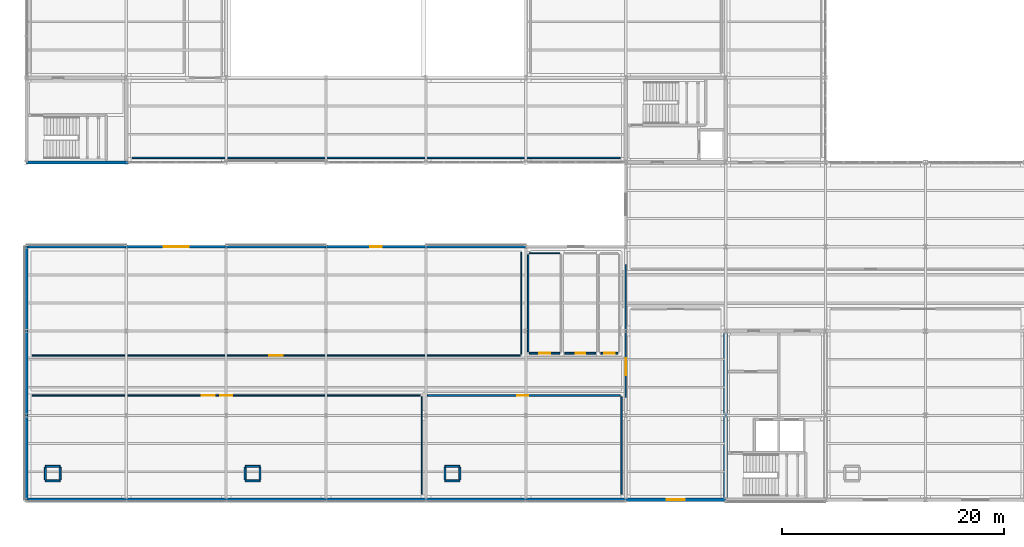
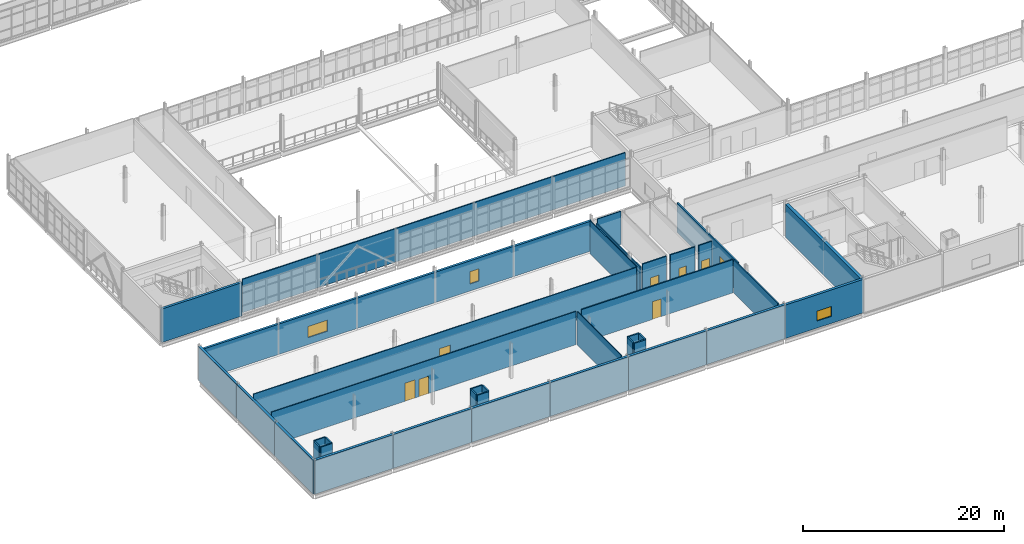
# One storey, part 153 of 174: 42 walls, 8 doors, 3 windows, 11 openings.
"""IFC4 building model written with IfcOpenShell, lengths in metres."""

from ifc_helpers import new_model, si_unit, direction, frame, frame_2d, origin, place, context, subcontext, project, spatial, rectangle, extrude, material, layer, layer_set, type_object, element, fill, save


model = new_model("IFC4")

# Units and contexts
model_context = context("Model", 3, precision=1e-05, world=origin(), true_north=direction((0.0, 1.0)))
body_context = subcontext(model_context, "Body", "Model", "MODEL_VIEW")
ifc_project = project(units=[si_unit("LENGTHUNIT", "METRE"), si_unit("AREAUNIT", "SQUARE_METRE"), si_unit("VOLUMEUNIT", "CUBIC_METRE"), si_unit("PLANEANGLEUNIT", "RADIAN"), si_unit("MASSUNIT", "GRAM", prefix="KILO")], contexts=[model_context])

# Site, building, storey
site_placement = place(None, origin())
site = spatial("IfcSite", under=ifc_project, at=site_placement, CompositionType="ELEMENT")
building_placement = place(site_placement, origin())
building = spatial("IfcBuilding", under=site, at=building_placement, Name="Caisbarro Railhouse Central Library", CompositionType="ELEMENT")
storey_placement = place(building_placement, frame((0.0, 0.0, 5.0400390625)))
storey = spatial("IfcBuildingStorey", under=building, at=storey_placement, Name="L01", CompositionType="ELEMENT", Elevation=5.0400390625)

# Walls
ifc_material_1 = material(Name="Concrete C40", Category="concrete")
ifc_layer_1 = layer(ifc_material_1, 0.35009765625, Name="Concrete C40")
ifc_layer_set_1 = layer_set([ifc_layer_1], Name="Concrete C40")
wall_type_1 = type_object("IfcWallType", Name="WAL-CW35", PredefinedType="SHEAR", material=ifc_layer_set_1)
wall_1_placement = place(storey_placement, frame((63.0, 0.159912109375, 0.0), z_axis=(0.0, 0.0, 1.0), x_axis=(0.0, 1.0, 0.0)))
element("IfcWall", 1, at=wall_1_placement, inside=storey, type_object=wall_type_1, Name="CW35 RC core shear wall L01 #8", PredefinedType="SHEAR", context=body_context, shape_type="SweptSolid", body=[
    extrude(rectangle(XDim=14.880126953125, YDim=0.35009765625, at=frame_2d((7.43994140625, 0.0))), origin(), (0.0, 0.0, 1.0), 4.0400390625),
])
ifc_material_2 = material(Name="Concrete C35 insulated architectural precast", Category="concrete")
ifc_layer_2 = layer(ifc_material_2, 0.260009765625, Name="Concrete C35 insulated architectural precast")
ifc_layer_set_2 = layer_set([ifc_layer_2], Name="Concrete C35 insulated architectural precast")
wall_type_2 = type_object("IfcWallType", Name="WAL-EW26", PredefinedType="STANDARD", material=ifc_layer_set_2)
wall_2_placement = place(storey_placement, frame((0.0, 22.800048828125, 0.0), z_axis=(0.0, 0.0, 1.0), x_axis=(1.0, 0.0, 0.0)))
element("IfcWall", 2, at=wall_2_placement, inside=storey, type_object=wall_type_2, Name="EW26 exterior wall L01 #55", PredefinedType="STANDARD", context=body_context, shape_type="SweptSolid", body=[
    extrude(rectangle(XDim=9.0, YDim=0.260009765625, at=frame_2d((4.5, 0.0))), origin(), (0.0, 0.0, 1.0), 3.6708984375),
])

# Wall, opening, window
wall_3_placement = place(storey_placement, frame((9.0, 22.800048828125, 0.0), z_axis=(0.0, 0.0, 1.0), x_axis=(1.0, 0.0, 0.0)))
wall_3 = element("IfcWall", 3, at=wall_3_placement, inside=storey, type_object=wall_type_2, Name="EW26 exterior wall L01 #57", PredefinedType="STANDARD", context=body_context, shape_type="SweptSolid", body=[
    extrude(rectangle(XDim=9.0, YDim=0.260009765625, at=frame_2d((4.5, 0.0))), origin(), (0.0, 0.0, 1.0), 3.6708984375),
])
opening_1_placement = place(wall_3_placement, frame((3.375, 0.0, 0.85009765625)))
opening_1 = element("IfcOpeningElement", 4, at=opening_1_placement, cuts=wall_3, Name="Opening W17", PredefinedType="OPENING", context=body_context, shape_type="SweptSolid", body=[
    extrude(rectangle(XDim=2.25, YDim=1.35009765625, at=frame_2d((1.125, 0.675048828125))), frame((0.0, 0.14013671875, 0.0), z_axis=(0.0, -1.0, 0.0), x_axis=(1.0, 0.0, 0.0)), (0.0, 0.0, 1.0), 0.280029296875),
])
ifc_material_3 = material(Name="Double low-e laminated solar-control glass", Category="glass")
window_type_1 = type_object("IfcWindowType", Name="WIN-W17", PartitioningType="SINGLE_PANEL", PredefinedType="WINDOW", material=ifc_material_3)
window_1_placement = place(opening_1_placement, origin())
window_1 = element("IfcWindow", 5, at=window_1_placement, inside=storey, type_object=window_type_1, Name="W17 window L01-002", OverallHeight=1.35009765625, OverallWidth=2.25, PartitioningType="SINGLE_PANEL", PredefinedType="WINDOW", context=body_context, shape_type="SweptSolid", body=[
    extrude(rectangle(XDim=2.25, YDim=1.35009765625, at=frame_2d((1.125, 0.675048828125))), frame((0.0, 0.030029296875, 0.0), z_axis=(0.0, -1.0, 0.0), x_axis=(1.0, 0.0, 0.0)), (0.0, 0.0, 1.0), 0.06005859375),
])
fill(opening_1, window_1)

# Wall
wall_4_placement = place(storey_placement, frame((18.0, 22.800048828125, 0.0), z_axis=(0.0, 0.0, 1.0), x_axis=(1.0, 0.0, 0.0)))
element("IfcWall", 6, at=wall_4_placement, inside=storey, type_object=wall_type_2, Name="EW26 exterior wall L01 #59", PredefinedType="STANDARD", context=body_context, shape_type="SweptSolid", body=[
    extrude(rectangle(XDim=9.0, YDim=0.260009765625, at=frame_2d((4.5, 0.0))), origin(), (0.0, 0.0, 1.0), 3.6708984375),
])

# Wall, opening, window
wall_5_placement = place(storey_placement, frame((27.0, 22.800048828125, 0.0), z_axis=(0.0, 0.0, 1.0), x_axis=(1.0, 0.0, 0.0)))
wall_5 = element("IfcWall", 7, at=wall_5_placement, inside=storey, type_object=wall_type_2, Name="EW26 exterior wall L01 #61", PredefinedType="STANDARD", context=body_context, shape_type="SweptSolid", body=[
    extrude(rectangle(XDim=9.0, YDim=0.260009765625, at=frame_2d((4.5, 0.0))), origin(), (0.0, 0.0, 1.0), 3.6708984375),
])
opening_2_placement = place(wall_5_placement, frame((4.0, 0.0, 0.85009765625)))
opening_2 = element("IfcOpeningElement", 8, at=opening_2_placement, cuts=wall_5, Name="Opening W19", PredefinedType="OPENING", context=body_context, shape_type="SweptSolid", body=[
    extrude(rectangle(XDim=1.0, YDim=1.5, at=frame_2d((0.5, 0.75))), frame((0.0, 0.14013671875, 0.0), z_axis=(0.0, -1.0, 0.0), x_axis=(1.0, 0.0, 0.0)), (0.0, 0.0, 1.0), 0.280029296875),
])
window_type_2 = type_object("IfcWindowType", Name="WIN-W19", PartitioningType="SINGLE_PANEL", PredefinedType="WINDOW", material=ifc_material_3)
window_2_placement = place(opening_2_placement, origin())
window_2 = element("IfcWindow", 9, at=window_2_placement, inside=storey, type_object=window_type_2, Name="W19 window L01-003", OverallHeight=1.5, OverallWidth=1.0, PartitioningType="SINGLE_PANEL", PredefinedType="WINDOW", context=body_context, shape_type="SweptSolid", body=[
    extrude(rectangle(XDim=1.0, YDim=1.5, at=frame_2d((0.5, 0.75))), frame((0.0, 0.030029296875, 0.0), z_axis=(0.0, -1.0, 0.0), x_axis=(1.0, 0.0, 0.0)), (0.0, 0.0, 1.0), 0.06005859375),
])
fill(opening_2, window_2)

# Walls
wall_6_placement = place(storey_placement, frame((36.0, 22.800048828125, 0.0), z_axis=(0.0, 0.0, 1.0), x_axis=(1.0, 0.0, 0.0)))
element("IfcWall", 10, at=wall_6_placement, inside=storey, type_object=wall_type_2, Name="EW26 exterior wall L01 #63", PredefinedType="STANDARD", context=body_context, shape_type="SweptSolid", body=[
    extrude(rectangle(XDim=9.0, YDim=0.260009765625, at=frame_2d((4.5, 0.0))), origin(), (0.0, 0.0, 1.0), 3.640869140625),
])
ifc_layer_3 = layer(ifc_material_1, 0.280029296875, Name="Concrete C40")
ifc_layer_set_3 = layer_set([ifc_layer_3], Name="Concrete C40")
wall_type_3 = type_object("IfcWallType", Name="WAL-EW28", PredefinedType="SOLIDWALL", material=ifc_layer_set_3)
wall_7_placement = place(storey_placement, frame((0.0, 30.39990234375, 0.0), z_axis=(0.0, 0.0, 1.0), x_axis=(1.0, 0.0, 0.0)))
element("IfcWall", 11, at=wall_7_placement, inside=storey, type_object=wall_type_3, Name="EW28 exterior wall L01 #32", PredefinedType="SOLIDWALL", context=body_context, shape_type="SweptSolid", body=[
    extrude(rectangle(XDim=9.2099609375, YDim=0.280029296875, at=frame_2d((4.60498046875, 0.0))), origin(), (0.0, 0.0, 1.0), 4.06005859375),
])
wall_8_placement = place(storey_placement, frame((0.0, 0.0, 0.0), z_axis=(0.0, 0.0, 1.0), x_axis=(0.0, 1.0, 0.0)))
element("IfcWall", 12, at=wall_8_placement, inside=storey, type_object=wall_type_3, Name="EW28 exterior wall L01 #66", PredefinedType="SOLIDWALL", context=body_context, shape_type="SweptSolid", body=[
    extrude(rectangle(XDim=7.60009765625, YDim=0.280029296875, at=frame_2d((3.800048828125, 0.0))), origin(), (0.0, 0.0, 1.0), 4.10986328125),
])
wall_9_placement = place(storey_placement, frame((0.0, 7.60009765625, 0.0), z_axis=(0.0, 0.0, 1.0), x_axis=(0.0, 1.0, 0.0)))
element("IfcWall", 13, at=wall_9_placement, inside=storey, type_object=wall_type_3, Name="EW28 exterior wall L01 #67", PredefinedType="SOLIDWALL", context=body_context, shape_type="SweptSolid", body=[
    extrude(rectangle(XDim=7.599853515625, YDim=0.280029296875, at=frame_2d((3.7998046875, 0.0))), origin(), (0.0, 0.0, 1.0), 4.10986328125),
])
wall_10_placement = place(storey_placement, frame((0.0, 15.199951171875, 0.0), z_axis=(0.0, 0.0, 1.0), x_axis=(0.0, 1.0, 0.0)))
element("IfcWall", 14, at=wall_10_placement, inside=storey, type_object=wall_type_3, Name="EW28 exterior wall L01 #68", PredefinedType="SOLIDWALL", context=body_context, shape_type="SweptSolid", body=[
    extrude(rectangle(XDim=7.60009765625, YDim=0.280029296875, at=frame_2d((3.800048828125, 0.0))), origin(), (0.0, 0.0, 1.0), 4.10986328125),
])
ifc_layer_4 = layer(ifc_material_1, 0.300048828125, Name="Concrete C40")
ifc_layer_set_4 = layer_set([ifc_layer_4], Name="Concrete C40")
wall_type_4 = type_object("IfcWallType", Name="WAL-EW30", PredefinedType="SOLIDWALL", material=ifc_layer_set_4)
for number, where, z_axis, x_axis, name in (
    (15, (0.0, 0.0, 0.0), (0.0, 0.0, 1.0), (1.0, 0.0, 0.0), "EW30 exterior wall L01 #54"),
    (16, (9.0, 0.0, 0.0), (0.0, 0.0, 1.0), (1.0, 0.0, 0.0), "EW30 exterior wall L01 #56"),
    (17, (18.0, 0.0, 0.0), (0.0, 0.0, 1.0), (1.0, 0.0, 0.0), "EW30 exterior wall L01 #58"),
    (18, (27.0, 0.0, 0.0), (0.0, 0.0, 1.0), (1.0, 0.0, 0.0), "EW30 exterior wall L01 #60"),
    (19, (36.0, 0.0, 0.0), (0.0, 0.0, 1.0), (1.0, 0.0, 0.0), "EW30 exterior wall L01 #62"),
    (20, (45.0, 0.0, 0.0), (0.0, 0.0, 1.0), (1.0, 0.0, 0.0), "EW30 exterior wall L01 #64"),
):
    element("IfcWall", number, at=place(storey_placement, frame(where, z_axis=z_axis, x_axis=x_axis)), inside=storey, type_object=wall_type_4, Name=name, PredefinedType="SOLIDWALL", context=body_context, shape_type="SweptSolid", body=[
        extrude(rectangle(XDim=9.0, YDim=0.300048828125, at=frame_2d((4.5, 0.0))), origin(), (0.0, 0.0, 1.0), 4.10986328125),
    ])

# Wall, opening, window
wall_11_placement = place(storey_placement, frame((54.0, 0.0, 0.0), z_axis=(0.0, 0.0, 1.0), x_axis=(1.0, 0.0, 0.0)))
wall_11 = element("IfcWall", 21, at=wall_11_placement, inside=storey, type_object=wall_type_4, Name="EW30 exterior wall L01 #81", PredefinedType="SOLIDWALL", context=body_context, shape_type="SweptSolid", body=[
    extrude(rectangle(XDim=9.0, YDim=0.300048828125, at=frame_2d((4.5, 0.0))), origin(), (0.0, 0.0, 1.0), 4.06005859375),
])
opening_3_placement = place(wall_11_placement, frame((3.675048828125, 0.0, 0.85009765625)))
opening_3 = element("IfcOpeningElement", 22, at=opening_3_placement, cuts=wall_11, Name="Opening W06", PredefinedType="OPENING", context=body_context, shape_type="SweptSolid", body=[
    extrude(rectangle(XDim=1.64990234375, YDim=1.199951171875, at=frame_2d((0.824951171875, 0.60009765625))), frame((0.0, 0.16015625, 0.0), z_axis=(0.0, -1.0, 0.0), x_axis=(1.0, 0.0, 0.0)), (0.0, 0.0, 1.0), 0.320068359375),
])
window_type_3 = type_object("IfcWindowType", Name="WIN-W06", PartitioningType="SINGLE_PANEL", PredefinedType="WINDOW", material=ifc_material_3)
window_3_placement = place(opening_3_placement, origin())
window_3 = element("IfcWindow", 23, at=window_3_placement, inside=storey, type_object=window_type_3, Name="W06 window L01-009", OverallHeight=1.199951171875, OverallWidth=1.64990234375, PartitioningType="SINGLE_PANEL", PredefinedType="WINDOW", context=body_context, shape_type="SweptSolid", body=[
    extrude(rectangle(XDim=1.64990234375, YDim=1.199951171875, at=frame_2d((0.824951171875, 0.60009765625))), frame((0.0, 0.030029296875, 0.0), z_axis=(0.0, -1.0, 0.0), x_axis=(1.0, 0.0, 0.0)), (0.0, 0.0, 1.0), 0.06005859375),
])
fill(opening_3, window_3)

# Walls
ifc_material_4 = material(Name="Acoustic gypsum board on galvanised steel studs", Category="steel")
ifc_layer_5 = layer(ifc_material_4, 0.090087890625, Name="Acoustic gypsum board on galvanised steel studs")
ifc_layer_set_5 = layer_set([ifc_layer_5], Name="Acoustic gypsum board on galvanised steel studs")
wall_type_5 = type_object("IfcWallType", Name="WAL-IW09", PredefinedType="PARTITIONING", material=ifc_layer_set_5)
wall_12_placement = place(storey_placement, frame((35.60009765625, 0.52001953125, 0.0), z_axis=(0.0, 0.0, 1.0), x_axis=(0.0, 1.0, 0.0)))
element("IfcWall", 24, at=wall_12_placement, inside=storey, type_object=wall_type_5, Name="IW09 partition wall L01 #375", PredefinedType="PARTITIONING", context=body_context, shape_type="SweptSolid", body=[
    extrude(rectangle(XDim=8.760009765625, YDim=0.090087890625, at=frame_2d((4.3798828125, 0.0))), origin(), (0.0, 0.0, 1.0), 4.0400390625),
])
wall_13_placement = place(storey_placement, frame((44.60009765625, 13.1201171875, 0.0), z_axis=(0.0, 0.0, 1.0), x_axis=(0.0, 1.0, 0.0)))
element("IfcWall", 25, at=wall_13_placement, inside=storey, type_object=wall_type_5, Name="IW09 partition wall L01 #379", PredefinedType="PARTITIONING", context=body_context, shape_type="SweptSolid", body=[
    extrude(rectangle(XDim=9.159912109375, YDim=0.090087890625, at=frame_2d((4.580078125, 0.0))), origin(), (0.0, 0.0, 1.0), 4.0400390625),
])
wall_14_placement = place(storey_placement, frame((45.320068359375, 22.199951171875, 0.0), z_axis=(0.0, 0.0, 1.0), x_axis=(1.0, 0.0, 0.0)))
element("IfcWall", 26, at=wall_14_placement, inside=storey, type_object=wall_type_5, Name="IW09 partition wall L01 #383", PredefinedType="PARTITIONING", context=body_context, shape_type="SweptSolid", body=[
    extrude(rectangle(XDim=2.72802734375, YDim=0.090087890625, at=frame_2d((1.364013671875, 0.0))), origin(), (0.0, 0.0, 1.0), 4.0400390625),
])

# Wall, openings, doors
ifc_layer_6 = layer(ifc_material_4, 0.110107421875, Name="Acoustic gypsum board on galvanised steel studs")
ifc_layer_set_6 = layer_set([ifc_layer_6], Name="Acoustic gypsum board on galvanised steel studs")
wall_type_6 = type_object("IfcWallType", Name="WAL-IW11", PredefinedType="PARTITIONING", material=ifc_layer_set_6)
wall_15_placement = place(storey_placement, frame((0.52001953125, 9.39990234375, 0.0), z_axis=(0.0, 0.0, 1.0), x_axis=(1.0, 0.0, 0.0)))
wall_15 = element("IfcWall", 27, at=wall_15_placement, inside=storey, type_object=wall_type_6, Name="IW11 partition wall L01 #374", PredefinedType="PARTITIONING", context=body_context, shape_type="SweptSolid", body=[
    extrude(rectangle(XDim=34.9599609375, YDim=0.110107421875, at=frame_2d((17.47998046875, 0.0))), origin(), (0.0, 0.0, 1.0), 4.0400390625),
])
opening_4_placement = place(wall_15_placement, frame((16.93994140625, 0.0, 0.0)))
opening_4 = element("IfcOpeningElement", 28, at=opening_4_placement, cuts=wall_15, Name="Opening ID13", PredefinedType="OPENING", context=body_context, shape_type="SweptSolid", body=[
    extrude(rectangle(XDim=1.080078125, YDim=2.10009765625, at=frame_2d((0.5400390625, 1.050048828125))), frame((0.0, 0.06494140625, 0.0), z_axis=(0.0, -1.0, 0.0), x_axis=(1.0, 0.0, 0.0)), (0.0, 0.0, 1.0), 0.130126953125),
])
opening_5_placement = place(wall_15_placement, frame((15.300048828125, 0.0, 0.0)))
opening_5 = element("IfcOpeningElement", 29, at=opening_5_placement, cuts=wall_15, Name="Opening ID44", PredefinedType="OPENING", context=body_context, shape_type="SweptSolid", body=[
    extrude(rectangle(XDim=1.159912109375, YDim=2.199951171875, at=frame_2d((0.580078125, 1.10009765625))), frame((0.0, 0.06494140625, 0.0), z_axis=(0.0, -1.0, 0.0), x_axis=(1.0, 0.0, 0.0)), (0.0, 0.0, 1.0), 0.130126953125),
])
ifc_material_5 = material(Name="Solid-core tropical hardwood veneer", Category="wood")
door_type_1 = type_object("IfcDoorType", Name="DR-ID13", OperationType="NOTDEFINED", PredefinedType="DOOR", material=ifc_material_5)
door_1_placement = place(opening_4_placement, origin())
door_1 = element("IfcDoor", 30, at=door_1_placement, inside=storey, type_object=door_type_1, Name="Open Humanities Stacks West Door ID13 L01-233", OperationType="SINGLE_SWING_LEFT", OverallHeight=2.10009765625, OverallWidth=1.080078125, PredefinedType="DOOR", context=body_context, shape_type="SweptSolid", body=[
    extrude(rectangle(XDim=1.080078125, YDim=2.10009765625, at=frame_2d((0.5400390625, 1.050048828125))), frame((0.0, 0.02490234375, 0.0), z_axis=(0.0, -1.0, 0.0), x_axis=(1.0, 0.0, 0.0)), (0.0, 0.0, 1.0), 0.050048828125),
])
fill(opening_4, door_1)
door_type_2 = type_object("IfcDoorType", Name="DR-ID44", OperationType="NOTDEFINED", PredefinedType="DOOR", material=ifc_material_5)
door_2_placement = place(opening_5_placement, origin())
door_2 = element("IfcDoor", 31, at=door_2_placement, inside=storey, type_object=door_type_2, Name="Stacks Corridor L01 West Door ID44 L01-262", OperationType="SINGLE_SWING_RIGHT", OverallHeight=2.199951171875, OverallWidth=1.159912109375, PredefinedType="DOOR", context=body_context, shape_type="SweptSolid", body=[
    extrude(rectangle(XDim=1.159912109375, YDim=2.199951171875, at=frame_2d((0.580078125, 1.10009765625))), frame((0.0, 0.02490234375, 0.0), z_axis=(0.0, -1.0, 0.0), x_axis=(1.0, 0.0, 0.0)), (0.0, 0.0, 1.0), 0.050048828125),
])
fill(opening_5, door_2)

# Wall, opening, door
wall_16_placement = place(storey_placement, frame((0.52001953125, 13.0, 0.0), z_axis=(0.0, 0.0, 1.0), x_axis=(1.0, 0.0, 0.0)))
wall_16 = element("IfcWall", 32, at=wall_16_placement, inside=storey, type_object=wall_type_6, Name="IW11 partition wall L01 #378", PredefinedType="PARTITIONING", context=body_context, shape_type="SweptSolid", body=[
    extrude(rectangle(XDim=43.9599609375, YDim=0.110107421875, at=frame_2d((21.97998046875, 0.0))), origin(), (0.0, 0.0, 1.0), 4.0400390625),
])
opening_6_placement = place(wall_16_placement, frame((21.3701171875, 0.0, 0.0)))
opening_6 = element("IfcOpeningElement", 33, at=opening_6_placement, cuts=wall_16, Name="Opening ID15", PredefinedType="OPENING", context=body_context, shape_type="SweptSolid", body=[
    extrude(rectangle(XDim=1.219970703125, YDim=2.10009765625, at=frame_2d((0.60986328125, 1.050048828125))), frame((0.0, 0.06494140625, 0.0), z_axis=(0.0, -1.0, 0.0), x_axis=(1.0, 0.0, 0.0)), (0.0, 0.0, 1.0), 0.130126953125),
])
door_type_3 = type_object("IfcDoorType", Name="DR-ID15", OperationType="NOTDEFINED", PredefinedType="DOOR", material=ifc_material_5)
door_3_placement = place(opening_6_placement, origin())
door_3 = element("IfcDoor", 34, at=door_3_placement, inside=storey, type_object=door_type_3, Name="Open Literature Stacks Door ID15 L01-235", OperationType="SINGLE_SWING_LEFT", OverallHeight=2.10009765625, OverallWidth=1.219970703125, PredefinedType="DOOR", context=body_context, shape_type="SweptSolid", body=[
    extrude(rectangle(XDim=1.219970703125, YDim=2.10009765625, at=frame_2d((0.60986328125, 1.050048828125))), frame((0.0, 0.02490234375, 0.0), z_axis=(0.0, -1.0, 0.0), x_axis=(1.0, 0.0, 0.0)), (0.0, 0.0, 1.0), 0.050048828125),
])
fill(opening_6, door_3)

# Walls
ifc_layer_7 = layer(ifc_material_4, 0.1298828125, Name="Acoustic gypsum board on galvanised steel studs")
ifc_layer_set_7 = layer_set([ifc_layer_7], Name="Acoustic gypsum board on galvanised steel studs")
wall_type_7 = type_object("IfcWallType", Name="WAL-IW13", PredefinedType="PARTITIONING", material=ifc_layer_set_7)
wall_17_placement = place(storey_placement, frame((53.60009765625, 0.52001953125, 0.0), z_axis=(0.0, 0.0, 1.0), x_axis=(0.0, 1.0, 0.0)))
element("IfcWall", 35, at=wall_17_placement, inside=storey, type_object=wall_type_7, Name="IW13 partition wall L01 #377", PredefinedType="PARTITIONING", context=body_context, shape_type="SweptSolid", body=[
    extrude(rectangle(XDim=8.760009765625, YDim=0.1298828125, at=frame_2d((4.3798828125, 0.0))), origin(), (0.0, 0.0, 1.0), 4.0400390625),
])
wall_18_placement = place(storey_placement, frame((45.199951171875, 13.320068359375, 0.0), z_axis=(0.0, 0.0, 1.0), x_axis=(0.0, 1.0, 0.0)))
element("IfcWall", 36, at=wall_18_placement, inside=storey, type_object=wall_type_7, Name="IW13 partition wall L01 #381", PredefinedType="PARTITIONING", context=body_context, shape_type="SweptSolid", body=[
    extrude(rectangle(XDim=8.760009765625, YDim=0.1298828125, at=frame_2d((4.3798828125, 0.0))), origin(), (0.0, 0.0, 1.0), 3.62890625),
])
wall_19_placement = place(storey_placement, frame((9.52001953125, 30.800048828125, 0.0), z_axis=(0.0, 0.0, 1.0), x_axis=(1.0, 0.0, 0.0)))
element("IfcWall", 37, at=wall_19_placement, inside=storey, type_object=wall_type_7, Name="IW13 partition wall L01 #457", PredefinedType="PARTITIONING", context=body_context, shape_type="SweptSolid", body=[
    extrude(rectangle(XDim=43.9599609375, YDim=0.1298828125, at=frame_2d((21.97998046875, 0.0))), origin(), (0.0, 0.0, 1.0), 4.0400390625),
])

# Wall, opening, door
ifc_layer_8 = layer(ifc_material_4, 0.14990234375, Name="Acoustic gypsum board on galvanised steel studs")
ifc_layer_set_8 = layer_set([ifc_layer_8], Name="Acoustic gypsum board on galvanised steel studs")
wall_type_8 = type_object("IfcWallType", Name="WAL-IW15", PredefinedType="PARTITIONING", material=ifc_layer_set_8)
wall_20_placement = place(storey_placement, frame((36.1201171875, 9.39990234375, 0.0), z_axis=(0.0, 0.0, 1.0), x_axis=(1.0, 0.0, 0.0)))
wall_20 = element("IfcWall", 38, at=wall_20_placement, inside=storey, type_object=wall_type_8, Name="IW15 partition wall L01 #376", PredefinedType="PARTITIONING", context=body_context, shape_type="SweptSolid", body=[
    extrude(rectangle(XDim=17.35986328125, YDim=0.14990234375, at=frame_2d((8.679931640625, 0.0))), origin(), (0.0, 0.0, 1.0), 4.0400390625),
])
opening_7_placement = place(wall_20_placement, frame((8.110107421875, 0.0, 0.0)))
opening_7 = element("IfcOpeningElement", 39, at=opening_7_placement, cuts=wall_20, Name="Opening FD05", PredefinedType="OPENING", context=body_context, shape_type="SweptSolid", body=[
    extrude(rectangle(XDim=1.0, YDim=2.14990234375, at=frame_2d((0.5, 1.074951171875))), frame((0.0, 0.0849609375, 0.0), z_axis=(0.0, -1.0, 0.0), x_axis=(1.0, 0.0, 0.0)), (0.0, 0.0, 1.0), 0.169921875),
])
ifc_material_6 = material(Name="Fire-rated painted galvanised steel", Category="steel")
door_type_4 = type_object("IfcDoorType", Name="DR-FD05", OperationType="NOTDEFINED", PredefinedType="DOOR", material=ifc_material_6)
door_4_placement = place(opening_7_placement, origin())
door_4 = element("IfcDoor", 40, at=door_4_placement, inside=storey, type_object=door_type_4, Name="Cataloguing and Metadata Studio Door FD05 L01-234", OperationType="SINGLE_SWING_RIGHT", OverallHeight=2.14990234375, OverallWidth=1.0, PredefinedType="DOOR", context=body_context, shape_type="SweptSolid", body=[
    extrude(rectangle(XDim=1.0, YDim=2.14990234375, at=frame_2d((0.5, 1.074951171875))), frame((0.0, 0.02490234375, 0.0), z_axis=(0.0, -1.0, 0.0), x_axis=(1.0, 0.0, 0.0)), (0.0, 0.0, 1.0), 0.050048828125),
])
fill(opening_7, door_4)

wall_21_placement = place(storey_placement, frame((45.320068359375, 13.199951171875, 0.0), z_axis=(0.0, 0.0, 1.0), x_axis=(1.0, 0.0, 0.0)))
wall_21 = element("IfcWall", 41, at=wall_21_placement, inside=storey, type_object=wall_type_8, Name="IW15 partition wall L01 #380", PredefinedType="PARTITIONING", context=body_context, shape_type="SweptSolid", body=[
    extrude(rectangle(XDim=2.72802734375, YDim=0.14990234375, at=frame_2d((1.364013671875, 0.0))), origin(), (0.0, 0.0, 1.0), 4.0400390625),
])
opening_8_placement = place(wall_21_placement, frame((0.8740234375, 0.0, 0.0)))
opening_8 = element("IfcOpeningElement", 42, at=opening_8_placement, cuts=wall_21, Name="Opening ID04", PredefinedType="OPENING", context=body_context, shape_type="SweptSolid", body=[
    extrude(rectangle(XDim=0.97998046875, YDim=2.06005859375, at=frame_2d((0.489990234375, 1.030029296875))), frame((0.0, 0.0849609375, 0.0), z_axis=(0.0, -1.0, 0.0), x_axis=(1.0, 0.0, 0.0)), (0.0, 0.0, 1.0), 0.169921875),
])
door_type_5 = type_object("IfcDoorType", Name="DR-ID04", OperationType="NOTDEFINED", PredefinedType="DOOR", material=ifc_material_5)
door_5_placement = place(opening_8_placement, origin())
door_5 = element("IfcDoor", 43, at=door_5_placement, inside=storey, type_object=door_type_5, Name="Male WC L01-W Door ID04 L01-236", OperationType="SINGLE_SWING_RIGHT", OverallHeight=2.06005859375, OverallWidth=0.97998046875, PredefinedType="DOOR", context=body_context, shape_type="SweptSolid", body=[
    extrude(rectangle(XDim=0.97998046875, YDim=2.06005859375, at=frame_2d((0.489990234375, 1.030029296875))), frame((0.0, 0.02490234375, 0.0), z_axis=(0.0, -1.0, 0.0), x_axis=(1.0, 0.0, 0.0)), (0.0, 0.0, 1.0), 0.050048828125),
])
fill(opening_8, door_5)

wall_22_placement = place(storey_placement, frame((48.488037109375, 13.199951171875, 0.0), z_axis=(0.0, 0.0, 1.0), x_axis=(1.0, 0.0, 0.0)))
wall_22 = element("IfcWall", 44, at=wall_22_placement, inside=storey, type_object=wall_type_8, Name="IW15 partition wall L01 #384", PredefinedType="PARTITIONING", context=body_context, shape_type="SweptSolid", body=[
    extrude(rectangle(XDim=2.827880859375, YDim=0.14990234375, at=frame_2d((1.4140625, 0.0))), origin(), (0.0, 0.0, 1.0), 4.0400390625),
])
opening_9_placement = place(wall_22_placement, frame((0.98388671875, 0.0, 0.0)))
opening_9 = element("IfcOpeningElement", 45, at=opening_9_placement, cuts=wall_22, Name="Opening ID01", PredefinedType="OPENING", context=body_context, shape_type="SweptSolid", body=[
    extrude(rectangle(XDim=0.860107421875, YDim=2.06005859375, at=frame_2d((0.43017578125, 1.030029296875))), frame((0.0, 0.0849609375, 0.0), z_axis=(0.0, -1.0, 0.0), x_axis=(1.0, 0.0, 0.0)), (0.0, 0.0, 1.0), 0.169921875),
])
door_type_6 = type_object("IfcDoorType", Name="DR-ID01", OperationType="NOTDEFINED", PredefinedType="DOOR", material=ifc_material_5)
door_6_placement = place(opening_9_placement, origin())
door_6 = element("IfcDoor", 46, at=door_6_placement, inside=storey, type_object=door_type_6, Name="Female WC L01-W Door ID01 L01-237", OperationType="SINGLE_SWING_LEFT", OverallHeight=2.06005859375, OverallWidth=0.860107421875, PredefinedType="DOOR", context=body_context, shape_type="SweptSolid", body=[
    extrude(rectangle(XDim=0.860107421875, YDim=2.06005859375, at=frame_2d((0.43017578125, 1.030029296875))), frame((0.0, 0.02490234375, 0.0), z_axis=(0.0, -1.0, 0.0), x_axis=(1.0, 0.0, 0.0)), (0.0, 0.0, 1.0), 0.050048828125),
])
fill(opening_9, door_6)

wall_23_placement = place(storey_placement, frame((51.756103515625, 13.199951171875, 0.0), z_axis=(0.0, 0.0, 1.0), x_axis=(1.0, 0.0, 0.0)))
wall_23 = element("IfcWall", 47, at=wall_23_placement, inside=storey, type_object=wall_type_8, Name="IW15 partition wall L01 #388", PredefinedType="PARTITIONING", context=body_context, shape_type="SweptSolid", body=[
    extrude(rectangle(XDim=1.52392578125, YDim=0.14990234375, at=frame_2d((0.761962890625, 0.0))), origin(), (0.0, 0.0, 1.0), 4.0400390625),
])
opening_10_placement = place(wall_23_placement, frame((0.2919921875, 0.0, 0.0)))
opening_10 = element("IfcOpeningElement", 48, at=opening_10_placement, cuts=wall_23, Name="Opening ID03", PredefinedType="OPENING", context=body_context, shape_type="SweptSolid", body=[
    extrude(rectangle(XDim=0.93994140625, YDim=2.06005859375, at=frame_2d((0.469970703125, 1.030029296875))), frame((0.0, 0.0849609375, 0.0), z_axis=(0.0, -1.0, 0.0), x_axis=(1.0, 0.0, 0.0)), (0.0, 0.0, 1.0), 0.169921875),
])
door_type_7 = type_object("IfcDoorType", Name="DR-ID03", OperationType="NOTDEFINED", PredefinedType="DOOR", material=ifc_material_5)
door_7_placement = place(opening_10_placement, origin())
door_7 = element("IfcDoor", 49, at=door_7_placement, inside=storey, type_object=door_type_7, Name="Accessible WC L01-W Door ID03 L01-238", OperationType="SINGLE_SWING_RIGHT", OverallHeight=2.06005859375, OverallWidth=0.93994140625, PredefinedType="DOOR", context=body_context, shape_type="SweptSolid", body=[
    extrude(rectangle(XDim=0.93994140625, YDim=2.06005859375, at=frame_2d((0.469970703125, 1.030029296875))), frame((0.0, 0.02490234375, 0.0), z_axis=(0.0, -1.0, 0.0), x_axis=(1.0, 0.0, 0.0)), (0.0, 0.0, 1.0), 0.050048828125),
])
fill(opening_10, door_7)

# Walls
ifc_material_7 = material(Name="Plastered cellular concrete masonry", Category="masonry")
ifc_layer_9 = layer(ifc_material_7, 0.169921875, Name="Plastered cellular concrete masonry")
ifc_layer_set_9 = layer_set([ifc_layer_9], Name="Plastered cellular concrete masonry")
wall_type_9 = type_object("IfcWallType", Name="WAL-IW17", PredefinedType="PARTITIONING", material=ifc_layer_set_9)
wall_24_placement = place(storey_placement, frame((1.7099609375, 1.7099609375, 0.0), z_axis=(0.0, 0.0, 1.0), x_axis=(1.0, 0.0, 0.0)))
element("IfcWall", 50, at=wall_24_placement, inside=storey, type_object=wall_type_9, Name="IW17 partition wall L01 #191", PredefinedType="PARTITIONING", context=body_context, shape_type="SweptSolid", body=[
    extrude(rectangle(XDim=1.340087890625, YDim=0.169921875, at=frame_2d((0.669921875, 0.0))), origin(), (0.0, 0.0, 1.0), 4.0400390625),
])
wall_25_placement = place(storey_placement, frame((3.050048828125, 1.800048828125, 0.0), z_axis=(0.0, 0.0, 1.0), x_axis=(0.0, 1.0, 0.0)))
element("IfcWall", 51, at=wall_25_placement, inside=storey, type_object=wall_type_9, Name="IW17 partition wall L01 #192", PredefinedType="PARTITIONING", context=body_context, shape_type="SweptSolid", body=[
    extrude(rectangle(XDim=1.119873046875, YDim=0.169921875, at=frame_2d((0.56005859375, 0.0))), origin(), (0.0, 0.0, 1.0), 4.0400390625),
])
wall_26_placement = place(storey_placement, frame((3.050048828125, 3.010009765625, 0.0), z_axis=(0.0, 0.0, 1.0), x_axis=(-1.0, 0.0, 0.0)))
element("IfcWall", 52, at=wall_26_placement, inside=storey, type_object=wall_type_9, Name="IW17 partition wall L01 #193", PredefinedType="PARTITIONING", context=body_context, shape_type="SweptSolid", body=[
    extrude(rectangle(XDim=1.340087890625, YDim=0.169921875, at=frame_2d((0.669921875, 0.0))), origin(), (0.0, 0.0, 1.0), 4.0400390625),
])
wall_27_placement = place(storey_placement, frame((1.7099609375, 2.919921875, 0.0), z_axis=(0.0, 0.0, 1.0), x_axis=(0.0, -1.0, 0.0)))
element("IfcWall", 53, at=wall_27_placement, inside=storey, type_object=wall_type_9, Name="IW17 partition wall L01 #194", PredefinedType="PARTITIONING", context=body_context, shape_type="SweptSolid", body=[
    extrude(rectangle(XDim=1.119873046875, YDim=0.169921875, at=frame_2d((0.56005859375, 0.0))), origin(), (0.0, 0.0, 1.0), 4.0400390625),
])
wall_28_placement = place(storey_placement, frame((19.7099609375, 1.7099609375, 0.0), z_axis=(0.0, 0.0, 1.0), x_axis=(1.0, 0.0, 0.0)))
element("IfcWall", 54, at=wall_28_placement, inside=storey, type_object=wall_type_9, Name="IW17 partition wall L01 #195", PredefinedType="PARTITIONING", context=body_context, shape_type="SweptSolid", body=[
    extrude(rectangle(XDim=1.340087890625, YDim=0.169921875, at=frame_2d((0.669921875, 0.0))), origin(), (0.0, 0.0, 1.0), 4.0400390625),
])
wall_29_placement = place(storey_placement, frame((21.050048828125, 1.800048828125, 0.0), z_axis=(0.0, 0.0, 1.0), x_axis=(0.0, 1.0, 0.0)))
element("IfcWall", 55, at=wall_29_placement, inside=storey, type_object=wall_type_9, Name="IW17 partition wall L01 #196", PredefinedType="PARTITIONING", context=body_context, shape_type="SweptSolid", body=[
    extrude(rectangle(XDim=1.119873046875, YDim=0.169921875, at=frame_2d((0.56005859375, 0.0))), origin(), (0.0, 0.0, 1.0), 4.0400390625),
])
wall_30_placement = place(storey_placement, frame((21.050048828125, 3.010009765625, 0.0), z_axis=(0.0, 0.0, 1.0), x_axis=(-1.0, 0.0, 0.0)))
element("IfcWall", 56, at=wall_30_placement, inside=storey, type_object=wall_type_9, Name="IW17 partition wall L01 #197", PredefinedType="PARTITIONING", context=body_context, shape_type="SweptSolid", body=[
    extrude(rectangle(XDim=1.340087890625, YDim=0.169921875, at=frame_2d((0.669921875, 0.0))), origin(), (0.0, 0.0, 1.0), 4.0400390625),
])
wall_31_placement = place(storey_placement, frame((19.7099609375, 2.919921875, 0.0), z_axis=(0.0, 0.0, 1.0), x_axis=(0.0, -1.0, 0.0)))
element("IfcWall", 57, at=wall_31_placement, inside=storey, type_object=wall_type_9, Name="IW17 partition wall L01 #198", PredefinedType="PARTITIONING", context=body_context, shape_type="SweptSolid", body=[
    extrude(rectangle(XDim=1.119873046875, YDim=0.169921875, at=frame_2d((0.56005859375, 0.0))), origin(), (0.0, 0.0, 1.0), 4.0400390625),
])
wall_32_placement = place(storey_placement, frame((37.7099609375, 1.7099609375, 0.0), z_axis=(0.0, 0.0, 1.0), x_axis=(1.0, 0.0, 0.0)))
element("IfcWall", 58, at=wall_32_placement, inside=storey, type_object=wall_type_9, Name="IW17 partition wall L01 #199", PredefinedType="PARTITIONING", context=body_context, shape_type="SweptSolid", body=[
    extrude(rectangle(XDim=1.340087890625, YDim=0.169921875, at=frame_2d((0.669921875, 0.0))), origin(), (0.0, 0.0, 1.0), 4.0400390625),
])
wall_33_placement = place(storey_placement, frame((39.050048828125, 1.800048828125, 0.0), z_axis=(0.0, 0.0, 1.0), x_axis=(0.0, 1.0, 0.0)))
element("IfcWall", 59, at=wall_33_placement, inside=storey, type_object=wall_type_9, Name="IW17 partition wall L01 #200", PredefinedType="PARTITIONING", context=body_context, shape_type="SweptSolid", body=[
    extrude(rectangle(XDim=1.119873046875, YDim=0.169921875, at=frame_2d((0.56005859375, 0.0))), origin(), (0.0, 0.0, 1.0), 4.0400390625),
])
wall_34_placement = place(storey_placement, frame((39.050048828125, 3.010009765625, 0.0), z_axis=(0.0, 0.0, 1.0), x_axis=(-1.0, 0.0, 0.0)))
element("IfcWall", 60, at=wall_34_placement, inside=storey, type_object=wall_type_9, Name="IW17 partition wall L01 #201", PredefinedType="PARTITIONING", context=body_context, shape_type="SweptSolid", body=[
    extrude(rectangle(XDim=1.340087890625, YDim=0.169921875, at=frame_2d((0.669921875, 0.0))), origin(), (0.0, 0.0, 1.0), 4.0400390625),
])
wall_35_placement = place(storey_placement, frame((37.7099609375, 2.919921875, 0.0), z_axis=(0.0, 0.0, 1.0), x_axis=(0.0, -1.0, 0.0)))
element("IfcWall", 61, at=wall_35_placement, inside=storey, type_object=wall_type_9, Name="IW17 partition wall L01 #202", PredefinedType="PARTITIONING", context=body_context, shape_type="SweptSolid", body=[
    extrude(rectangle(XDim=1.119873046875, YDim=0.169921875, at=frame_2d((0.56005859375, 0.0))), origin(), (0.0, 0.0, 1.0), 4.0400390625),
])

# Wall, opening, door
wall_36_placement = place(storey_placement, frame((54.0, 9.199951171875, 0.0), z_axis=(0.0, 0.0, 1.0), x_axis=(0.0, 1.0, 0.0)))
wall_36 = element("IfcWall", 62, at=wall_36_placement, inside=storey, type_object=wall_type_9, Name="IW17 partition wall L01 #371", PredefinedType="PARTITIONING", context=body_context, shape_type="SweptSolid", body=[
    extrude(rectangle(XDim=12.0, YDim=0.169921875, at=frame_2d((6.0, 0.0))), origin(), (0.0, 0.0, 1.0), 3.598876953125),
])
opening_11_placement = place(wall_36_placement, frame((2.0, 0.0, 0.0)))
opening_11 = element("IfcOpeningElement", 63, at=opening_11_placement, cuts=wall_36, Name="Opening FD07", PredefinedType="OPENING", context=body_context, shape_type="SweptSolid", body=[
    extrude(rectangle(XDim=1.550048828125, YDim=2.199951171875, at=frame_2d((0.77490234375, 1.10009765625))), frame((0.0, 0.094970703125, 0.0), z_axis=(0.0, -1.0, 0.0), x_axis=(1.0, 0.0, 0.0)), (0.0, 0.0, 1.0), 0.18994140625),
])
door_type_8 = type_object("IfcDoorType", Name="DR-FD07", OperationType="NOTDEFINED", PredefinedType="DOOR", material=ifc_material_6)
door_8_placement = place(opening_11_placement, origin())
door_8 = element("IfcDoor", 64, at=door_8_placement, inside=storey, type_object=door_type_8, Name="Stacks Interconnecting Fire Door FD07 L01-230", OperationType="SINGLE_SWING_RIGHT", OverallHeight=2.199951171875, OverallWidth=1.550048828125, PredefinedType="DOOR", context=body_context, shape_type="SweptSolid", body=[
    extrude(rectangle(XDim=1.550048828125, YDim=2.199951171875, at=frame_2d((0.77490234375, 1.10009765625))), frame((0.0, 0.02490234375, 0.0), z_axis=(0.0, -1.0, 0.0), x_axis=(1.0, 0.0, 0.0)), (0.0, 0.0, 1.0), 0.050048828125),
])
fill(opening_11, door_8)

save(model, "model.ifc")
